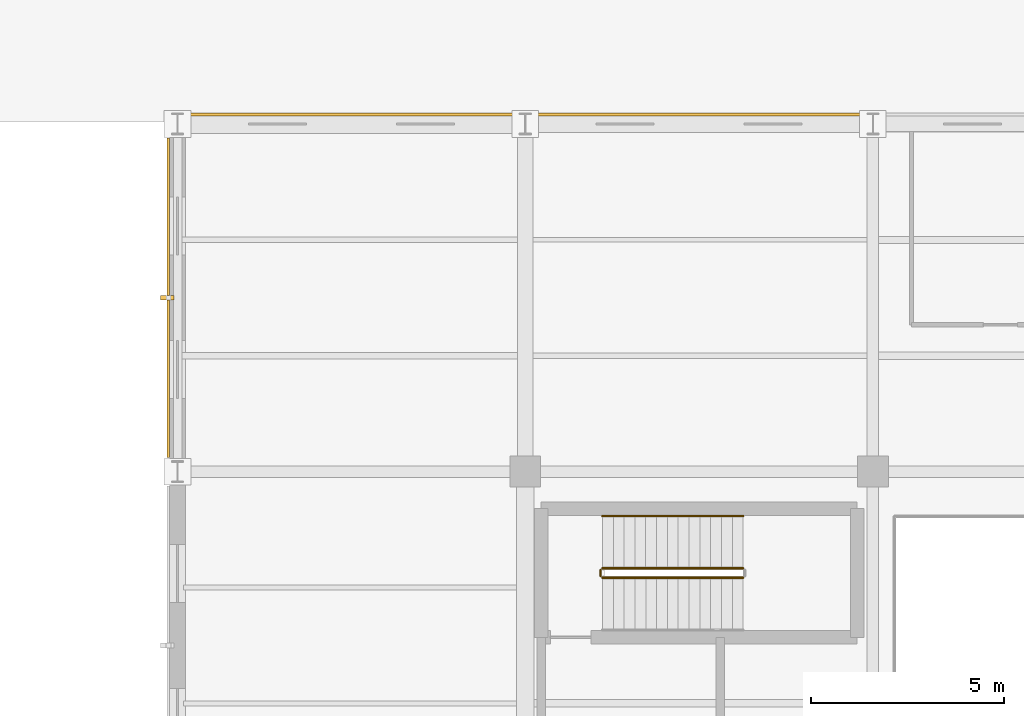
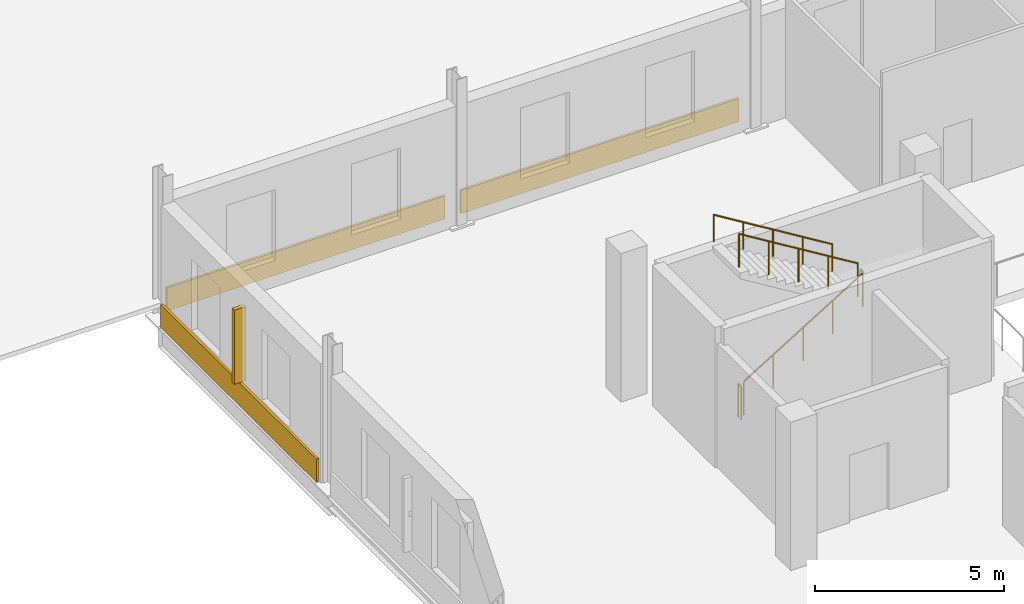
# One storey, part 32 of 35: 4 railings, 3 coverings, 1 shading device.
"""IFC4 building model written with IfcOpenShell, lengths in metres."""

from ifc_helpers import new_model, si_unit, direction, frame, origin, origin_2d, place, context, subcontext, project, spatial, rectangle, circle, extrude, material, layer, layer_set, type_object, element, save


model = new_model("IFC4")

# Units and contexts
model_context = context("Model", 3, precision=1e-05, world=origin(), true_north=direction((0.0, 1.0)))
body_context = subcontext(model_context, "Body", "Model", "MODEL_VIEW")
ifc_project = project(units=[si_unit("LENGTHUNIT", "METRE"), si_unit("AREAUNIT", "SQUARE_METRE"), si_unit("VOLUMEUNIT", "CUBIC_METRE"), si_unit("PLANEANGLEUNIT", "RADIAN"), si_unit("MASSUNIT", "GRAM", prefix="KILO")], contexts=[model_context])

# Site, building, storey
site_placement = place(None, origin())
site = spatial("IfcSite", under=ifc_project, at=site_placement, CompositionType="ELEMENT")
building_placement = place(site_placement, origin())
building = spatial("IfcBuilding", under=site, at=building_placement, Name="Sundgate Opera House", CompositionType="ELEMENT")
storey_placement = place(building_placement, frame((0.0, 0.0, 21.60009765625)))
storey = spatial("IfcBuildingStorey", under=building, at=storey_placement, Name="L04", CompositionType="ELEMENT", Elevation=21.60009765625)

# Coverings
ifc_material_1 = material(Name="Deep-carved Komstad limestone relief panel", Category="masonry")
ifc_layer_1 = layer(ifc_material_1, 0.094970703125)
ifc_layer_set_1 = layer_set([ifc_layer_1], Name="Deep-carved Komstad limestone relief panel")
covering_type_1 = type_object("IfcCoveringType", Name="CV-TRENC-DEEP", PredefinedType="CLADDING", material=ifc_layer_set_1)
covering_1_placement = place(storey_placement, frame((40.5, 87.242431640625, 0.044921875), z_axis=(0.0, 0.0, 1.0), x_axis=(1.0, 0.0, 0.0)))
element("IfcCovering", 1, at=covering_1_placement, inside=storey, type_object=covering_type_1, Name="L04 Trencadis 750mm Relief Band CV0052", PredefinedType="CLADDING", context=body_context, shape_type="SweptSolid", body=[
    extrude(rectangle(XDim=8.510009765625, YDim=0.074951171875, at=origin_2d()), origin(), (0.0, 0.0, 1.0), 0.75),
])
ifc_material_2 = material(Name="Frost-proof vitrified stoneware trencadis relief tile", Category="masonry")
ifc_layer_2 = layer(ifc_material_2, 0.074951171875)
ifc_layer_set_2 = layer_set([ifc_layer_2], Name="Frost-proof vitrified stoneware trencadis relief tile")
covering_type_2 = type_object("IfcCoveringType", Name="CV-TRENC-RELIEF", PredefinedType="CLADDING", material=ifc_layer_set_2)
covering_2_placement = place(storey_placement, frame((31.5, 87.242431640625, 0.044921875), z_axis=(0.0, 0.0, 1.0), x_axis=(1.0, 0.0, 0.0)))
element("IfcCovering", 2, at=covering_2_placement, inside=storey, type_object=covering_type_2, Name="L04 Trencadis 750mm Relief Band CV0050", PredefinedType="CLADDING", context=body_context, shape_type="SweptSolid", body=[
    extrude(rectangle(XDim=8.510009765625, YDim=0.074951171875, at=origin_2d()), origin(), (0.0, 0.0, 1.0), 0.75),
])
ifc_material_3 = material(Name="Polychrome trencadis mosaic panel", Category="masonry")
ifc_layer_3 = layer(ifc_material_3, 0.054931640625)
ifc_layer_set_3 = layer_set([ifc_layer_3], Name="Polychrome trencadis mosaic panel")
covering_type_3 = type_object("IfcCoveringType", Name="CV-TRENC-SLIM", PredefinedType="CLADDING", material=ifc_layer_set_3)
covering_3_placement = place(storey_placement, frame((26.757568359375, 82.5, 0.044921875), z_axis=(0.0, 0.0, 1.0), x_axis=(0.0, 1.0, 0.0)))
element("IfcCovering", 3, at=covering_3_placement, inside=storey, type_object=covering_type_3, Name="L04 Trencadis 750mm Relief Band CV0071", PredefinedType="CLADDING", context=body_context, shape_type="SweptSolid", body=[
    extrude(rectangle(XDim=8.260009765625, YDim=0.074951171875, at=origin_2d()), origin(), (0.0, 0.0, 1.0), 0.75),
])

# Railings
ifc_material_4 = material(Name="Painted steel S275 guardrail", Category="steel")
railing_type_1 = type_object("IfcRailingType", Name="RL-STAIR-GUARD-1100", PredefinedType="GUARDRAIL", material=ifc_material_4)
railing_1_placement = place(storey_placement, frame((38.0, 75.25, 0.17138671875)))
element("IfcRailing", 4, at=railing_1_placement, inside=storey, type_object=railing_type_1, Name="ST02L04 Guardrail RL0077", PredefinedType="GUARDRAIL", context=body_context, shape_type="SweptSolid", body=[
    extrude(circle(Radius=0.02392578125, at=origin_2d()), frame((0.0, 0.0, 1.076171875), z_axis=(0.852850264322, 0.0, 0.5221555579), x_axis=(0.0, 1.0, 0.0)), (0.0, 0.0, 1.0), 4.267822265625),
    extrude(circle(Radius=0.02099609375, at=origin_2d()), origin(), (0.0, 0.0, 1.0), 1.052001953125),
    extrude(circle(Radius=0.02099609375, at=origin_2d()), frame((0.909912109375, 0.0, 0.55712890625)), (0.0, 0.0, 1.0), 1.052001953125),
    extrude(circle(Radius=0.02099609375, at=origin_2d()), frame((1.81982421875, 0.0, 1.1142578125)), (0.0, 0.0, 1.0), 1.052001953125),
    extrude(circle(Radius=0.02099609375, at=origin_2d()), frame((2.72998046875, 0.0, 1.67138671875)), (0.0, 0.0, 1.0), 1.052001953125),
    extrude(circle(Radius=0.02099609375, at=origin_2d()), frame((3.639892578125, 0.0, 2.228515625)), (0.0, 0.0, 1.0), 1.052001953125),
])
railing_2_placement = place(storey_placement, frame((41.639892578125, 75.5, 2.5712890625)))
element("IfcRailing", 5, at=railing_2_placement, inside=storey, type_object=railing_type_1, Name="ST02L04 Guardrail RL0079", PredefinedType="GUARDRAIL", context=body_context, shape_type="SweptSolid", body=[
    extrude(circle(Radius=0.02392578125, at=origin_2d()), frame((0.0, 0.0, 1.076171875), z_axis=(-0.852850264322, 0.0, 0.5221555579), x_axis=(0.0, -1.0, 0.0)), (0.0, 0.0, 1.0), 4.267822265625),
    extrude(circle(Radius=0.02099609375, at=origin_2d()), origin(), (0.0, 0.0, 1.0), 1.052001953125),
    extrude(circle(Radius=0.02099609375, at=origin_2d()), frame((-0.909912109375, 0.0, 0.55712890625)), (0.0, 0.0, 1.0), 1.052001953125),
    extrude(circle(Radius=0.02099609375, at=origin_2d()), frame((-1.81982421875, 0.0, 1.1142578125)), (0.0, 0.0, 1.0), 1.052001953125),
    extrude(circle(Radius=0.02099609375, at=origin_2d()), frame((-2.72998046875, 0.0, 1.67138671875)), (0.0, 0.0, 1.0), 1.052001953125),
    extrude(circle(Radius=0.02099609375, at=origin_2d()), frame((-3.639892578125, 0.0, 2.228515625)), (0.0, 0.0, 1.0), 1.052001953125),
])
railing_3_placement = place(storey_placement, frame((37.949951171875, 75.300048828125, 0.0)))
element("IfcRailing", 6, at=railing_3_placement, inside=storey, type_object=railing_type_1, Name="ST02L04 Guardrail RL0080", PredefinedType="GUARDRAIL", context=body_context, shape_type="SweptSolid", body=[
    extrude(circle(Radius=0.02392578125, at=origin_2d()), frame((0.0, 0.0, 1.076171875), z_axis=(0.0, 1.0, 0.0), x_axis=(-1.0, 0.0, 0.0)), (0.0, 0.0, 1.0), 0.14990234375),
    extrude(circle(Radius=0.02099609375, at=origin_2d()), origin(), (0.0, 0.0, 1.0), 1.052001953125),
    extrude(circle(Radius=0.02099609375, at=origin_2d()), frame((0.0, 0.14990234375, 0.0)), (0.0, 0.0, 1.0), 1.052001953125),
])
ifc_material_5 = material(Name="Brushed stainless steel handrail", Category="steel")
railing_type_2 = type_object("IfcRailingType", Name="RL-STAIR-HAND-900", PredefinedType="HANDRAIL", material=ifc_material_5)
railing_4_placement = place(storey_placement, frame((41.639892578125, 76.85009765625, 2.5712890625)))
element("IfcRailing", 7, at=railing_4_placement, inside=storey, type_object=railing_type_2, Name="ST02L04 Handrail RL0082", PredefinedType="HANDRAIL", context=body_context, shape_type="SweptSolid", body=[
    extrude(circle(Radius=0.02392578125, at=origin_2d()), frame((0.0, 0.0, 0.8759765625), z_axis=(-0.852850264322, 0.0, 0.5221555579), x_axis=(0.0, -1.0, 0.0)), (0.0, 0.0, 1.0), 4.267822265625),
    extrude(circle(Radius=0.02099609375, at=origin_2d()), origin(), (0.0, 0.0, 1.0), 0.851806640625),
    extrude(circle(Radius=0.02099609375, at=origin_2d()), frame((-0.909912109375, 0.0, 0.55712890625)), (0.0, 0.0, 1.0), 0.851806640625),
    extrude(circle(Radius=0.02099609375, at=origin_2d()), frame((-1.81982421875, 0.0, 1.1142578125)), (0.0, 0.0, 1.0), 0.851806640625),
    extrude(circle(Radius=0.02099609375, at=origin_2d()), frame((-2.72998046875, 0.0, 1.67138671875)), (0.0, 0.0, 1.0), 0.851806640625),
    extrude(circle(Radius=0.02099609375, at=origin_2d()), frame((-3.639892578125, 0.0, 2.228515625)), (0.0, 0.0, 1.0), 0.851806640625),
])

# Shading device
ifc_material_6 = material(Name="Glazed ceramic acoustic sun louvre", Category="masonry")
shading_device_type = type_object("IfcShadingDeviceType", Name="SD-CERAMIC-LOUVRE", PredefinedType="JALOUSIE", material=ifc_material_6)
shading_device_placement = place(storey_placement, frame((26.735107421875, 82.5, 0.800048828125), z_axis=(0.0, 0.0, 1.0), x_axis=(1.0, 0.0, 0.0)))
element("IfcShadingDevice", 8, at=shading_device_placement, inside=storey, type_object=shading_device_type, Name="L04 Ceramic Brise-Soleil Fin SD0028", PredefinedType="JALOUSIE", context=body_context, shape_type="SweptSolid", body=[
    extrude(rectangle(XDim=0.35009765625, YDim=0.1201171875, at=origin_2d()), origin(), (0.0, 0.0, 1.0), 2.39990234375),
])

save(model, "model.ifc")
